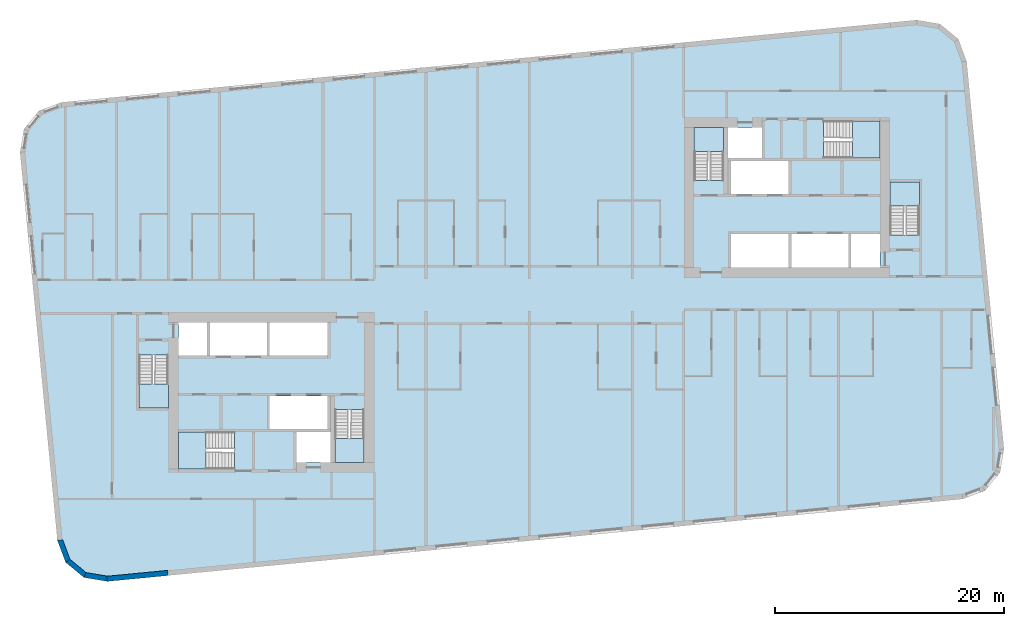
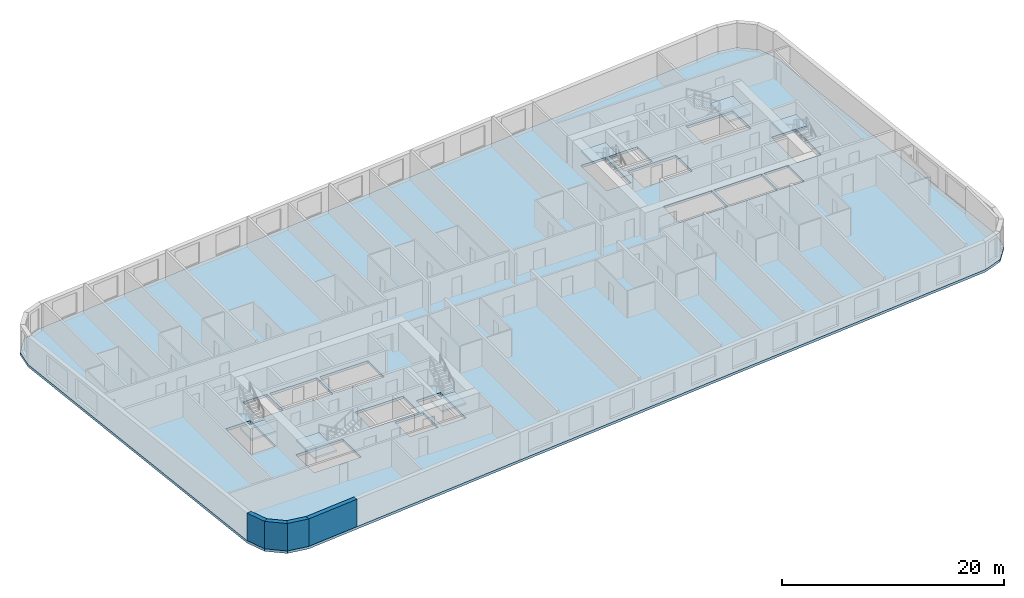
# One storey, part 1 of 12: 7 slabs, 4 walls, 6 elements without a shape of their own.
"""IFC4 building model written with IfcOpenShell, lengths in metres."""

import ifcopenshell
import ifcopenshell.guid

model = None  # the IFC model being written
_history = None  # IfcOwnerHistory: only IFC2X3 demands one
_inside = {}  # id of a spatial element -> (the spatial element, [elements in it])
_under = {}  # id of a project, library or spatial element -> (it, [spatial elements below it])
_declared = {}  # id of a project -> (the project, [libraries it declares])
_typed = {}  # id of a type object -> (the type object, [elements of that type])
_made_of = {}  # id of a material, layer set ... -> (it, [elements and type objects made of it])


def new_model(schema):
    """Start an empty IFC model of exactly this schema.

    Asked for "IFC4X3", IfcOpenShell would pick the latest addendum, in which some entities
    have other attributes; the version numbers below select the first issue.
    IFC2X3 requires an IfcOwnerHistory on every rooted entity: one is made here for all.
    """
    global model, _history
    if schema == "IFC4X3":
        model = ifcopenshell.file(schema_version=(4, 3, 0, 0))
    else:
        model = ifcopenshell.file(schema=schema)
    _inside.clear()
    _under.clear()
    _declared.clear()
    _typed.clear()
    _made_of.clear()
    _history = None
    if model.schema == "IFC2X3":
        org = make("IfcOrganization", Name="unknown")
        user = make(
            "IfcPersonAndOrganization",
            ThePerson=make("IfcPerson", FamilyName="unknown"),
            TheOrganization=org,
        )
        app = make(
            "IfcApplication",
            ApplicationDeveloper=org,
            Version="unknown",
            ApplicationFullName="unknown",
            ApplicationIdentifier="unknown",
        )
        _history = make(
            "IfcOwnerHistory",
            OwningUser=user,
            OwningApplication=app,
            ChangeAction="ADDED",
            CreationDate=0,
        )
    return model


def make(cls, **values):
    """One entity of the class cls with the attributes given. An attribute that is None is left unset."""
    return model.create_entity(
        cls, **{name: value for name, value in values.items() if value is not None}
    )


def rooted(cls, **values):
    """An entity with a GlobalId (a new one), such as an element, a storey or a relation."""
    return make(cls, GlobalId=ifcopenshell.guid.new(), OwnerHistory=_history, **values)


def si_unit(unit_type, name, prefix=None):
    """IfcSIUnit, for example si_unit("LENGTHUNIT", "METRE", prefix="MILLI")."""
    return make("IfcSIUnit", UnitType=unit_type, Prefix=prefix, Name=name)


def assignment(units):
    """IfcUnitAssignment: the units of a project."""
    return None if units is None else make("IfcUnitAssignment", Units=units)


def point(xyz):
    """IfcCartesianPoint."""
    return None if xyz is None else make("IfcCartesianPoint", Coordinates=xyz)


def direction(xyz):
    """IfcDirection."""
    return None if xyz is None else make("IfcDirection", DirectionRatios=xyz)


def frame(location, z_axis=None, x_axis=None):
    """IfcAxis2Placement3D, a coordinate frame: its origin and axes. An axis left out is left unset."""
    return make(
        "IfcAxis2Placement3D",
        Location=point(location),
        Axis=direction(z_axis),
        RefDirection=direction(x_axis),
    )


def frame_2d(location, x_axis=None):
    """IfcAxis2Placement2D, a coordinate frame in the plane: its origin and x axis."""
    return make(
        "IfcAxis2Placement2D", Location=point(location), RefDirection=direction(x_axis)
    )


def origin():
    """The frame at (0, 0, 0) with its axes left unset."""
    return frame((0.0, 0.0, 0.0))


def place(relative_to, where):
    """IfcLocalPlacement: puts the frame where relative to a parent placement (None: the world)."""
    return make(
        "IfcLocalPlacement", PlacementRelTo=relative_to, RelativePlacement=where
    )


def context(
    kind, dimensions, precision=None, world=None, true_north=None, identifier=None
):
    """IfcGeometricRepresentationContext, for example the 3D "Model" context."""
    return make(
        "IfcGeometricRepresentationContext",
        ContextIdentifier=identifier,
        ContextType=kind,
        CoordinateSpaceDimension=dimensions,
        Precision=precision,
        WorldCoordinateSystem=world,
        TrueNorth=true_north,
    )


def subcontext(parent, identifier, kind, view, scale=None):
    """IfcGeometricRepresentationSubContext, for example "Body" below "Model"."""
    return make(
        "IfcGeometricRepresentationSubContext",
        ContextIdentifier=identifier,
        ContextType=kind,
        ParentContext=parent,
        TargetScale=scale,
        TargetView=view,
    )


def project(units=None, contexts=None):
    """IfcProject with its units and contexts."""
    return rooted(
        "IfcProject",
        Name="project",
        RepresentationContexts=contexts,
        UnitsInContext=assignment(units),
    )


def spatial(cls, under=None, at=None, **own):
    """A site, building, storey or space (cls), placed at a placement, below another one or the project."""
    s = rooted(cls, ObjectPlacement=at, **own)
    if under is not None:
        _under.setdefault(under.id(), (under, []))[1].append(s)
    return s


def polyline(points):
    """IfcPolyline through the points."""
    return make("IfcPolyline", Points=[point(p) for p in points])


def profile(cls, at=None, kind="AREA", **sizes):
    """A parametric profile (cls). Its sizes go by their IFC names, for example OverallWidth=200.0."""
    return make(cls, ProfileType=kind, Position=at, **sizes)


def rectangle(**sizes):
    """IfcRectangleProfileDef."""
    return profile("IfcRectangleProfileDef", **sizes)


def outline(outer, holes=None, kind="AREA"):
    """IfcArbitraryClosedProfileDef: a profile drawn as a closed curve; with holes, ...WithVoids."""
    if holes is None:
        return make("IfcArbitraryClosedProfileDef", ProfileType=kind, OuterCurve=outer)
    return make(
        "IfcArbitraryProfileDefWithVoids",
        ProfileType=kind,
        OuterCurve=outer,
        InnerCurves=holes,
    )


def extrude(swept, where, along, depth):
    """IfcExtrudedAreaSolid: the profile swept, set in the frame where, extruded along a direction by depth."""
    return make(
        "IfcExtrudedAreaSolid",
        SweptArea=swept,
        Position=where,
        ExtrudedDirection=direction(along),
        Depth=depth,
    )


def shape(context_of_items, identifier, shape_type, items):
    """IfcShapeRepresentation: the items that make up one representation, for example the "Body"."""
    return make(
        "IfcShapeRepresentation",
        ContextOfItems=context_of_items,
        RepresentationIdentifier=identifier,
        RepresentationType=shape_type,
        Items=items,
    )


def material(Name=None, Category=None):
    """IfcMaterial."""
    return make("IfcMaterial", Name=Name, Category=Category)


def layer(
    of_material, thickness, ventilated=None, Name=None, Category=None, Priority=None
):
    """IfcMaterialLayer: one layer of a wall or slab, of a material (None: an air gap)."""
    return make(
        "IfcMaterialLayer",
        Material=of_material,
        LayerThickness=thickness,
        IsVentilated=ventilated,
        Name=Name,
        Category=Category,
        Priority=Priority,
    )


def layer_set(layers, Name=None):
    """IfcMaterialLayerSet."""
    return make("IfcMaterialLayerSet", MaterialLayers=layers, LayerSetName=Name)


def made_of(thing, what):
    """Note that an element or type object is made of a material, layer set ...; save() writes the relation."""
    if what is not None:
        _made_of.setdefault(what.id(), (what, []))[1].append(thing)
    return thing


def type_object(cls, material=None, **own):
    """A type object (cls), such as IfcWallType, which elements share."""
    return made_of(rooted(cls, **own), material)


def element(
    cls,
    number,
    at=None,
    inside=None,
    cuts=None,
    type_object=None,
    material=None,
    context=None,
    identifier="Body",
    shape_type=None,
    held_by="IfcProductDefinitionShape",
    body=None,
    shapes=None,
    **own,
):
    """One element of the class cls, such as IfcWall. Its Tag is "e" and its number.

    at: its placement. inside: the storey or other place that contains it. cuts: it is an
    opening in that element (IfcRelVoidsElement). A single representation is given by context,
    identifier, shape_type and body (its items); several are given by shapes. held_by: the class
    of the entity that holds the representations. save() writes the other relations.
    """
    e = rooted(cls, Tag="e%d" % number, ObjectPlacement=at, **own)
    if body is not None:
        shapes = [shape(context, identifier, shape_type, body)]
    if shapes is not None:
        e.Representation = make(held_by, Representations=shapes)
    if inside is not None:
        _inside.setdefault(inside.id(), (inside, []))[1].append(e)
    if cuts is not None:
        rooted(
            "IfcRelVoidsElement", RelatingBuildingElement=cuts, RelatedOpeningElement=e
        )
    if type_object is not None:
        _typed.setdefault(type_object.id(), (type_object, []))[1].append(e)
    return made_of(e, material)


def aggregate(whole, parts):
    """IfcRelAggregates: a whole, such as a stair, and the parts it consists of."""
    return rooted("IfcRelAggregates", RelatingObject=whole, RelatedObjects=parts)


def save(model, path):
    """Write the relations noted so far, then the file.

    IfcRelAggregates (storeys below a building ...), IfcRelContainedInSpatialStructure (elements
    in a storey), IfcRelDefinesByType, IfcRelAssociatesMaterial and IfcRelDeclares: one each for
    every whole, place, type object, material and project.
    """
    for whole, parts in _under.values():
        aggregate(whole, parts)
    for where, things in _inside.values():
        rooted(
            "IfcRelContainedInSpatialStructure",
            RelatedElements=things,
            RelatingStructure=where,
        )
    for kind, things in _typed.values():
        rooted("IfcRelDefinesByType", RelatedObjects=things, RelatingType=kind)
    for what, things in _made_of.values():
        rooted("IfcRelAssociatesMaterial", RelatedObjects=things, RelatingMaterial=what)
    for by, libraries in _declared.values():
        rooted("IfcRelDeclares", RelatingContext=by, RelatedDefinitions=libraries)
    model.write(path)


model = new_model("IFC4")

# Units and contexts
model_context = context("Model", 3, precision=1e-05, world=origin(), true_north=direction((0.0, 1.0)))
body_context = subcontext(model_context, "Body", "Model", "MODEL_VIEW")
ifc_project = project(units=[si_unit("LENGTHUNIT", "METRE"), si_unit("AREAUNIT", "SQUARE_METRE"), si_unit("VOLUMEUNIT", "CUBIC_METRE"), si_unit("PLANEANGLEUNIT", "RADIAN"), si_unit("MASSUNIT", "GRAM", prefix="KILO")], contexts=[model_context])

# Site, building, storey
site_placement = place(None, origin())
site = spatial("IfcSite", under=ifc_project, at=site_placement, CompositionType="ELEMENT")
building_placement = place(site_placement, origin())
building = spatial("IfcBuilding", under=site, at=building_placement, Name="Kajstack Hotel Tower", CompositionType="ELEMENT")
storey_placement = place(building_placement, frame((0.0, 0.0, 173.5)))
storey = spatial("IfcBuildingStorey", under=building, at=storey_placement, Name="L40", CompositionType="ELEMENT", Elevation=173.5)

# Slab
ifc_material_1 = material(Name="Concrete C40/50", Category="concrete")
ifc_layer_1 = layer(ifc_material_1, 0.280029296875)
ifc_layer_set_1 = layer_set([ifc_layer_1], Name="RC slab 280 C40/50 guest")
slab_type_1 = type_object("IfcSlabType", Name="RC slab 280 C40/50 guest", PredefinedType="FLOOR", material=ifc_layer_set_1)
slab_1_placement = place(storey_placement, frame((0.0, 0.0, -0.280029296875)))
element("IfcSlab", 1, at=slab_1_placement, inside=storey, type_object=slab_type_1, Name="S-slab-L40", PredefinedType="FLOOR", context=body_context, shape_type="SweptSolid", body=[
    extrude(outline(polyline([(-44.438232421875, 12.444091796875), (-41.1796875, -21.3994140625), (-40.454345703125, -23.3388671875), (-38.856689453125, -24.65576171875), (-36.814697265625, -24.99755859375), (37.840087890625, -17.80908203125), (39.779541015625, -17.083984375), (41.0966796875, -15.486328125), (41.438232421875, -13.444091796875), (38.1796875, 20.3994140625), (37.454345703125, 22.3388671875), (35.856689453125, 23.65576171875), (33.814697265625, 23.99755859375), (-40.840087890625, 16.80908203125), (-42.779541015625, 16.083984375), (-44.0966796875, 14.486328125), (-44.438232421875, 12.444091796875)]), holes=[polyline([(-22.64990234375, -11.699951171875), (-22.64990234375, -8.800048828125), (-17.60009765625, -8.800048828125), (-17.60009765625, -11.699951171875), (-22.64990234375, -11.699951171875)]), polyline([(-27.85009765625, -5.300048828125), (-27.85009765625, -2.39990234375), (-22.89990234375, -2.39990234375), (-22.89990234375, -5.300048828125), (-27.85009765625, -5.300048828125)]), polyline([(-22.64990234375, -5.300048828125), (-22.64990234375, -2.39990234375), (-17.60009765625, -2.39990234375), (-17.60009765625, -5.300048828125), (-22.64990234375, -5.300048828125)]), polyline([(-20.300048828125, -14.60009765625), (-17.35009765625, -14.60009765625), (-17.35009765625, -11.949951171875), (-20.300048828125, -11.949951171875), (-20.300048828125, -14.60009765625)]), polyline([(-30.60009765625, -5.300048828125), (-28.10009765625, -5.300048828125), (-28.10009765625, -2.39990234375), (-30.60009765625, -2.39990234375), (-30.60009765625, -5.300048828125)]), polyline([(17.60009765625, 8.800048828125), (17.60009765625, 11.699951171875), (22.64990234375, 11.699951171875), (22.64990234375, 8.800048828125), (17.60009765625, 8.800048828125)]), polyline([(22.89990234375, 2.39990234375), (22.89990234375, 5.300048828125), (27.85009765625, 5.300048828125), (27.85009765625, 2.39990234375), (22.89990234375, 2.39990234375)]), polyline([(17.60009765625, 2.39990234375), (17.60009765625, 5.300048828125), (22.64990234375, 5.300048828125), (22.64990234375, 2.39990234375), (17.60009765625, 2.39990234375)]), polyline([(20.300048828125, 14.60009765625), (17.35009765625, 14.60009765625), (17.35009765625, 11.949951171875), (20.300048828125, 11.949951171875), (20.300048828125, 14.60009765625)]), polyline([(30.60009765625, 5.300048828125), (28.10009765625, 5.300048828125), (28.10009765625, 2.39990234375), (30.60009765625, 2.39990234375), (30.60009765625, 5.300048828125)]), polyline([(-34.050048828125, -9.85009765625), (-31.5, -9.85009765625), (-31.5, -5.25), (-34.050048828125, -5.25), (-34.050048828125, -9.85009765625)]), polyline([(-16.949951171875, -14.60009765625), (-14.39990234375, -14.60009765625), (-14.39990234375, -10.0), (-16.949951171875, -10.0), (-16.949951171875, -14.60009765625)]), polyline([(-30.60009765625, -15.199951171875), (-25.699951171875, -15.199951171875), (-25.699951171875, -11.949951171875), (-30.60009765625, -11.949951171875), (-30.60009765625, -15.199951171875)]), polyline([(34.050048828125, 9.85009765625), (31.5, 9.85009765625), (31.5, 5.25), (34.050048828125, 5.25), (34.050048828125, 9.85009765625)]), polyline([(16.949951171875, 14.60009765625), (14.39990234375, 14.60009765625), (14.39990234375, 10.0), (16.949951171875, 10.0), (16.949951171875, 14.60009765625)]), polyline([(30.60009765625, 15.199951171875), (25.699951171875, 15.199951171875), (25.699951171875, 11.949951171875), (30.60009765625, 11.949951171875), (30.60009765625, 15.199951171875)])]), origin(), (0.0, 0.0, 1.0), 0.280029296875),
])

# Stair, slab
stair_type_1 = type_object("IfcStairType", Name="Exit stair 1200", PredefinedType="HALF_TURN_STAIR", material=ifc_material_1)
stair_1_placement = place(storey_placement, origin())
stair_1 = element("IfcStair", 2, at=stair_1_placement, inside=storey, type_object=stair_type_1, Name="L40 stair W1", PredefinedType="HALF_TURN_STAIR")
ifc_layer_2 = layer(ifc_material_1, 0.199951171875)
ifc_layer_set_2 = layer_set([ifc_layer_2], Name="Stair landing 200")
slab_type_2 = type_object("IfcSlabType", Name="Stair landing 200", PredefinedType="LANDING", material=ifc_layer_set_2)
slab_2_placement = place(storey_placement, frame((0.0, 0.0, 1.449951171875)))
slab_2 = element("IfcSlab", 3, at=slab_2_placement, type_object=slab_type_2, Name="W1 landing 1", PredefinedType="LANDING", context=body_context, shape_type="SweptSolid", body=[
    extrude(outline(polyline([(-34.050048828125, -7.77001953125), (-34.050048828125, -9.85009765625), (-31.5, -9.85009765625), (-31.5, -7.77001953125), (-34.050048828125, -7.77001953125)])), origin(), (0.0, 0.0, 1.0), 0.199951171875),
])
aggregate(stair_1, [slab_2])

stair_2_placement = place(storey_placement, origin())
stair_2 = element("IfcStair", 4, at=stair_2_placement, inside=storey, type_object=stair_type_1, Name="L40 stair W2", PredefinedType="HALF_TURN_STAIR")
slab_3_placement = place(storey_placement, frame((0.0, 0.0, 1.449951171875)))
slab_3 = element("IfcSlab", 5, at=slab_3_placement, type_object=slab_type_2, Name="W2 landing 1", PredefinedType="LANDING", context=body_context, shape_type="SweptSolid", body=[
    extrude(outline(polyline([(-16.949951171875, -12.52001953125), (-16.949951171875, -14.60009765625), (-14.39990234375, -14.60009765625), (-14.39990234375, -12.52001953125), (-16.949951171875, -12.52001953125)])), origin(), (0.0, 0.0, 1.0), 0.199951171875),
])
aggregate(stair_2, [slab_3])

stair_type_2 = type_object("IfcStairType", Name="Exit stair 1500", PredefinedType="HALF_TURN_STAIR", material=ifc_material_1)
stair_3_placement = place(storey_placement, origin())
stair_3 = element("IfcStair", 6, at=stair_3_placement, inside=storey, type_object=stair_type_2, Name="L40 stair W3", PredefinedType="HALF_TURN_STAIR")
slab_4_placement = place(storey_placement, frame((0.0, 0.0, 1.449951171875)))
slab_4 = element("IfcSlab", 7, at=slab_4_placement, type_object=slab_type_2, Name="W3 landing 1", PredefinedType="LANDING", context=body_context, shape_type="SweptSolid", body=[
    extrude(outline(polyline([(-28.219970703125, -11.949951171875), (-30.60009765625, -11.949951171875), (-30.60009765625, -15.199951171875), (-28.219970703125, -15.199951171875), (-28.219970703125, -11.949951171875)])), origin(), (0.0, 0.0, 1.0), 0.199951171875),
])
aggregate(stair_3, [slab_4])

stair_4_placement = place(storey_placement, origin())
stair_4 = element("IfcStair", 8, at=stair_4_placement, inside=storey, type_object=stair_type_1, Name="L40 stair E1", PredefinedType="HALF_TURN_STAIR")
slab_5_placement = place(storey_placement, frame((0.0, 0.0, 1.449951171875)))
slab_5 = element("IfcSlab", 9, at=slab_5_placement, type_object=slab_type_2, Name="E1 landing 1", PredefinedType="LANDING", context=body_context, shape_type="SweptSolid", body=[
    extrude(outline(polyline([(34.050048828125, 7.77001953125), (34.050048828125, 9.85009765625), (31.5, 9.85009765625), (31.5, 7.77001953125), (34.050048828125, 7.77001953125)])), origin(), (0.0, 0.0, 1.0), 0.199951171875),
])
aggregate(stair_4, [slab_5])

stair_5_placement = place(storey_placement, origin())
stair_5 = element("IfcStair", 10, at=stair_5_placement, inside=storey, type_object=stair_type_1, Name="L40 stair E2", PredefinedType="HALF_TURN_STAIR")
slab_6_placement = place(storey_placement, frame((0.0, 0.0, 1.449951171875)))
slab_6 = element("IfcSlab", 11, at=slab_6_placement, type_object=slab_type_2, Name="E2 landing 1", PredefinedType="LANDING", context=body_context, shape_type="SweptSolid", body=[
    extrude(outline(polyline([(16.949951171875, 12.52001953125), (16.949951171875, 14.60009765625), (14.39990234375, 14.60009765625), (14.39990234375, 12.52001953125), (16.949951171875, 12.52001953125)])), origin(), (0.0, 0.0, 1.0), 0.199951171875),
])
aggregate(stair_5, [slab_6])

stair_6_placement = place(storey_placement, origin())
stair_6 = element("IfcStair", 12, at=stair_6_placement, inside=storey, type_object=stair_type_2, Name="L40 stair E3", PredefinedType="HALF_TURN_STAIR")
slab_7_placement = place(storey_placement, frame((0.0, 0.0, 1.449951171875)))
slab_7 = element("IfcSlab", 13, at=slab_7_placement, type_object=slab_type_2, Name="E3 landing 1", PredefinedType="LANDING", context=body_context, shape_type="SweptSolid", body=[
    extrude(outline(polyline([(28.219970703125, 11.949951171875), (30.60009765625, 11.949951171875), (30.60009765625, 15.199951171875), (28.219970703125, 15.199951171875), (28.219970703125, 11.949951171875)])), origin(), (0.0, 0.0, 1.0), 0.199951171875),
])
aggregate(stair_6, [slab_7])

# Walls
ifc_material_2 = material(Name="Terracotta-faced brick masonry", Category="masonry")
ifc_layer_3 = layer(ifc_material_2, 0.449951171875)
ifc_layer_set_3 = layer_set([ifc_layer_3], Name="EW-TERRA")
wall_type = type_object("IfcWallType", Name="EW-TERRA", PredefinedType="SOLIDWALL", material=ifc_layer_set_3)
wall_1_placement = place(storey_placement, frame((-40.96875, -21.320556640625, 0.0), z_axis=(0.0, 0.0, 1.0), x_axis=(0.350192909346, -0.936677599948, 0.0)))
element("IfcWall", 14, at=wall_1_placement, inside=storey, type_object=wall_type, Name="E-wall-L40-01-00", PredefinedType="SOLIDWALL", context=body_context, shape_type="SweptSolid", body=[
    extrude(outline(polyline([(0.0, -0.22509765625), (2.070556640625, -0.22509765625), (1.949951171875, 0.22509765625), (0.12060546875, 0.224853515625), (0.0, -0.22509765625)])), origin(), (0.0, 0.0, 1.0), 3.02001953125),
])
wall_2_placement = place(storey_placement, frame((-40.311279296875, -23.165283203125, 0.0), z_axis=(0.0, 0.0, 1.0), x_axis=(0.771651049663, -0.636046112757, 0.0)))
element("IfcWall", 15, at=wall_2_placement, inside=storey, type_object=wall_type, Name="E-wall-L40-02-00", PredefinedType="SOLIDWALL", context=body_context, shape_type="SweptSolid", body=[
    extrude(outline(polyline([(0.0, -0.224853515625), (2.0703125, -0.22509765625), (1.94970703125, 0.224853515625), (0.12060546875, 0.22509765625), (0.0, -0.224853515625)])), origin(), (0.0, 0.0, 1.0), 3.02001953125),
])
wall_3_placement = place(storey_placement, frame((-38.819580078125, -24.433837890625, 0.0), z_axis=(0.0, 0.0, 1.0), x_axis=(0.986278951104, -0.165087342366, 0.0)))
element("IfcWall", 16, at=wall_3_placement, inside=storey, type_object=wall_type, Name="E-wall-L40-03-00", PredefinedType="SOLIDWALL", context=body_context, shape_type="SweptSolid", body=[
    extrude(outline(polyline([(0.0, -0.22509765625), (2.070556640625, -0.224853515625), (1.949951171875, 0.22509765625), (0.12060546875, 0.224853515625), (0.0, -0.22509765625)])), origin(), (0.0, 0.0, 1.0), 3.02001953125),
])
wall_4_placement = place(storey_placement, frame((-36.836181640625, -24.7734375, 0.0), z_axis=(0.0, 0.0, 1.0), x_axis=(0.995396705659, 0.095840483948, 0.0)))
element("IfcWall", 17, at=wall_4_placement, inside=storey, type_object=wall_type, Name="E-wall-L40-04-00", PredefinedType="SOLIDWALL", context=body_context, shape_type="SweptSolid", body=[
    extrude(rectangle(XDim=5.33935546875, YDim=0.449951171875, at=frame_2d((2.669677734375, 0.0))), origin(), (0.0, 0.0, 1.0), 3.02001953125),
])

save(model, "model.ifc")
